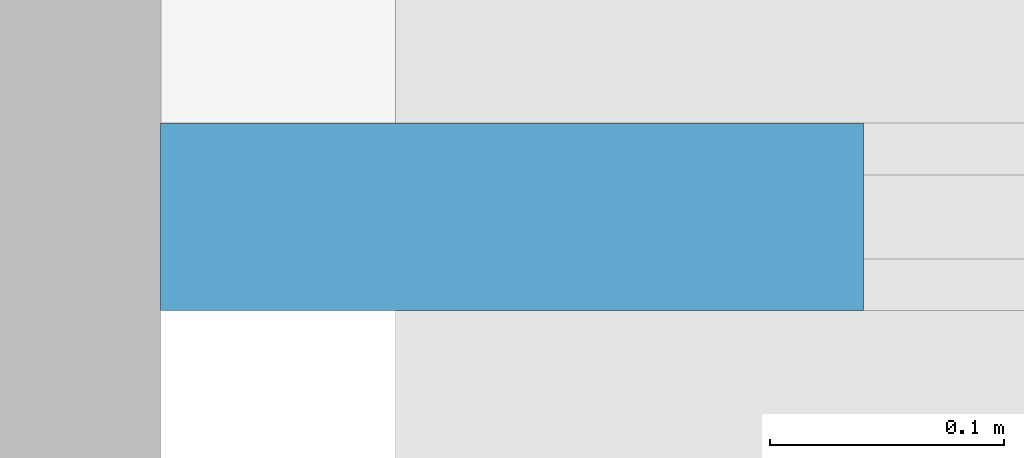
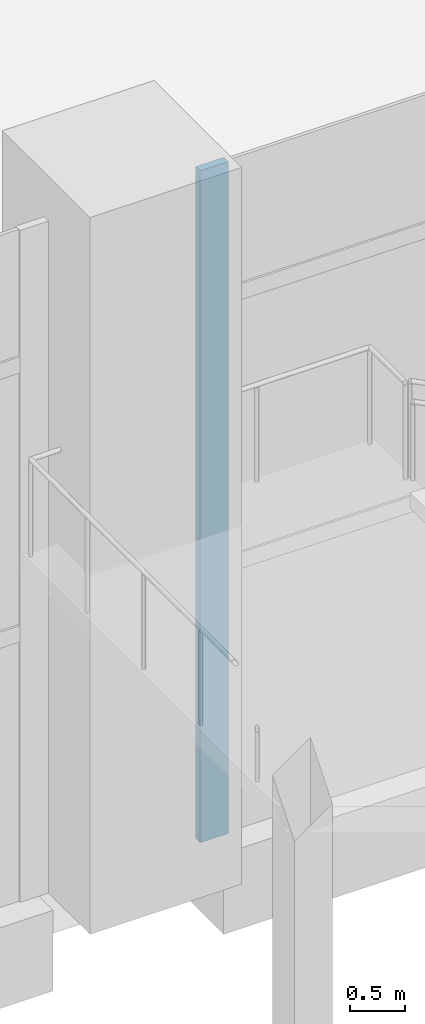
# One storey, part 5 of 52: 1 member, 1 element without a shape of its own.
"""IFC4 building model written with IfcOpenShell, lengths in metres."""

from ifc_helpers import new_model, si_unit, direction, frame, origin, origin_2d, place, context, subcontext, project, spatial, rectangle, extrude, material, material_profile, profile_set, type_object, element, aggregate, save


model = new_model("IFC4")

# Units and contexts
model_context = context("Model", 3, precision=1e-05, world=origin(), true_north=direction((0.0, 1.0)))
body_context = subcontext(model_context, "Body", "Model", "MODEL_VIEW")
ifc_project = project(units=[si_unit("LENGTHUNIT", "METRE"), si_unit("AREAUNIT", "SQUARE_METRE"), si_unit("VOLUMEUNIT", "CUBIC_METRE"), si_unit("PLANEANGLEUNIT", "RADIAN"), si_unit("MASSUNIT", "GRAM", prefix="KILO")], contexts=[model_context])

# Site, building, storey
site_placement = place(None, origin())
site = spatial("IfcSite", under=ifc_project, at=site_placement, CompositionType="ELEMENT")
building_placement = place(site_placement, origin())
building = spatial("IfcBuilding", under=site, at=building_placement, Name="Candeia Pilgrim Tower and Theatre", CompositionType="ELEMENT")
storey_placement = place(building_placement, frame((0.0, 0.0, 9.0)))
storey = spatial("IfcBuildingStorey", under=building, at=storey_placement, Name="L01", CompositionType="ELEMENT", Elevation=9.0)

# Curtain wall, member
ifc_material_1 = material(Name="Aluminium framed podium glazing", Category="aluminium")
curtain_wall_type = type_object("IfcCurtainWallType", Name="CW-P curtain wall", PredefinedType="NOTDEFINED", material=ifc_material_1)
curtain_wall_placement = place(storey_placement, origin())
curtain_wall = element("IfcCurtainWall", 1, at=curtain_wall_placement, inside=storey, type_object=curtain_wall_type, Name="Curtain wall CW-P L01.321", PredefinedType="NOTDEFINED")
ifc_material_2 = material(Name="Anodised aluminium", Category="aluminium")
ifc_material_profile = material_profile(ifc_material_2, rectangle(XDim=0.080078125, YDim=0.300048828125, at=origin_2d()))
ifc_profile_set = profile_set([ifc_material_profile], Name="Anodised aluminium")
member_type = type_object("IfcMemberType", Name="CW-P mullion 80x300", PredefinedType="MULLION", material=ifc_profile_set)
member_placement = place(storey_placement, frame((110.14990234375, 64.39990234375, 0.0), z_axis=(0.0, 0.0, 1.0), x_axis=(0.0, -1.0, 0.0)))
member = element("IfcMember", 2, at=member_placement, type_object=member_type, Name="CW-P mullion 2", PredefinedType="MULLION", context=body_context, shape_type="SweptSolid", body=[
    extrude(rectangle(XDim=0.080078125, YDim=0.300048828125, at=origin_2d()), origin(), (0.0, 0.0, 1.0), 7.5),
])
aggregate(curtain_wall, [member])

save(model, "model.ifc")
